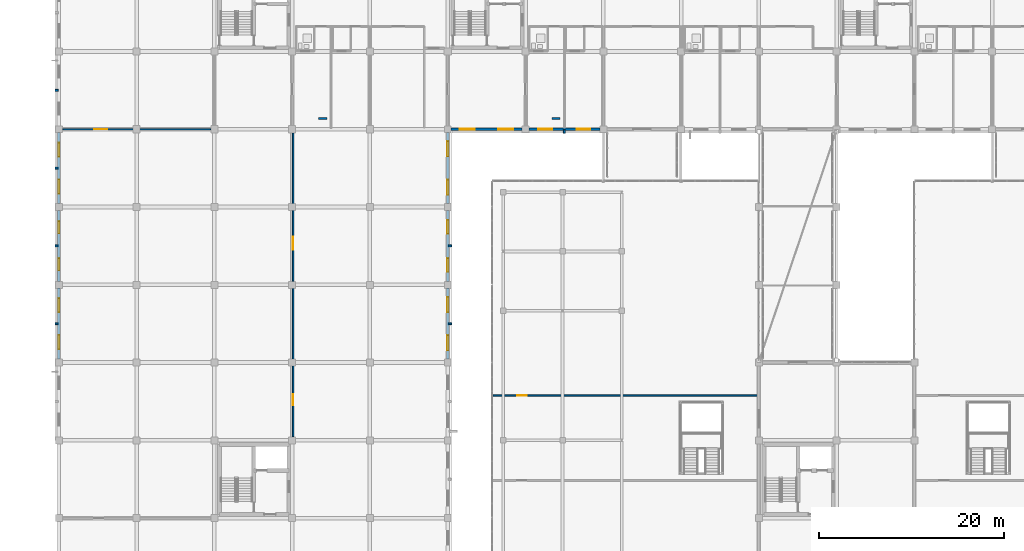
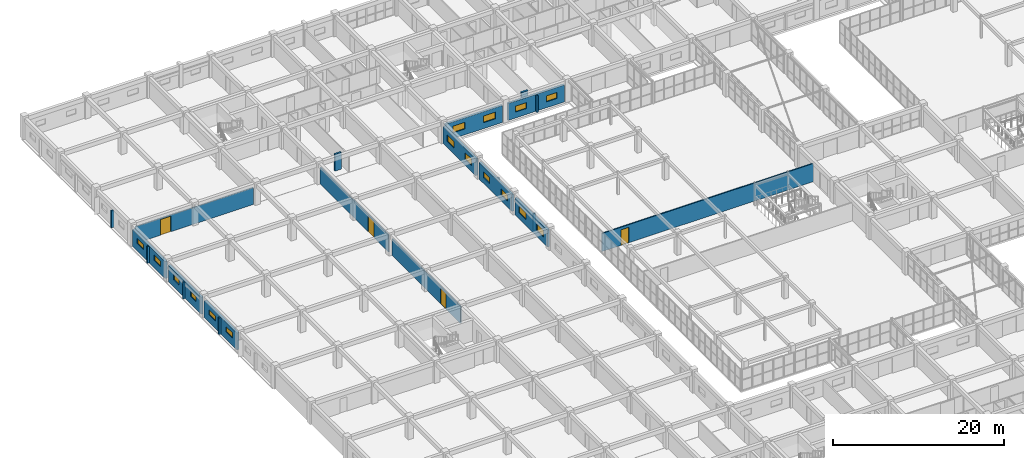
# One storey, part 172 of 200: 21 walls, 16 windows, 4 doors, 20 openings.
"""IFC4 building model written with IfcOpenShell, lengths in metres."""

from ifc_helpers import new_model, si_unit, direction, frame, frame_2d, origin, place, context, subcontext, project, spatial, rectangle, extrude, material, layer, layer_set, type_object, element, fill, save


model = new_model("IFC4")

# Units and contexts
model_context = context("Model", 3, precision=1e-05, world=origin(), true_north=direction((0.0, 1.0)))
body_context = subcontext(model_context, "Body", "Model", "MODEL_VIEW")
ifc_project = project(units=[si_unit("LENGTHUNIT", "METRE"), si_unit("AREAUNIT", "SQUARE_METRE"), si_unit("VOLUMEUNIT", "CUBIC_METRE"), si_unit("PLANEANGLEUNIT", "RADIAN"), si_unit("MASSUNIT", "GRAM", prefix="KILO")], contexts=[model_context])

# Site, building, storey
site_placement = place(None, origin())
site = spatial("IfcSite", under=ifc_project, at=site_placement, CompositionType="ELEMENT")
building_placement = place(site_placement, origin())
building = spatial("IfcBuilding", under=site, at=building_placement, Name="Trelvath General Hospital", CompositionType="ELEMENT")
storey_placement = place(building_placement, frame((0.0, 0.0, 4.800048828125)))
storey = spatial("IfcBuildingStorey", under=building, at=storey_placement, Name="L01", CompositionType="ELEMENT", Elevation=4.800048828125)

# Walls
ifc_material_1 = material(Name="Precast concrete C40/50", Category="concrete")
ifc_layer_1 = layer(ifc_material_1, 0.199951171875)
ifc_layer_set_1 = layer_set([ifc_layer_1], Name="Precast concrete C40/50")
wall_type_1 = type_object("IfcWallType", Name="BriseSoleilRib 200", PredefinedType="ELEMENTEDWALL", material=ifc_layer_set_1)
for number, where, z_axis, x_axis, name in (
    (1, (-0.074951171875, 71.39990234375, 0.0), (0.0, 0.0, 1.0), (-1.0, 0.0, 0.0), "Precast Concrete Brise-Soleil Rib Fin L01-78"),
    (2, (-0.074951171875, 79.800048828125, 0.0), (0.0, 0.0, 1.0), (-1.0, 0.0, 0.0), "Precast Concrete Brise-Soleil Rib Fin L01-79"),
    (3, (-0.074951171875, 88.199951171875, 0.0), (0.0, 0.0, 1.0), (-1.0, 0.0, 0.0), "Precast Concrete Brise-Soleil Rib Fin L01-80"),
    (4, (-0.074951171875, 96.60009765625, 0.0), (0.0, 0.0, 1.0), (-1.0, 0.0, 0.0), "Precast Concrete Brise-Soleil Rib Fin L01-81"),
    (5, (42.074951171875, 71.39990234375, 0.0), (0.0, 0.0, 1.0), (1.0, 0.0, 0.0), "Precast Concrete Brise-Soleil Rib Fin L01-96"),
    (6, (42.074951171875, 79.800048828125, 0.0), (0.0, 0.0, 1.0), (1.0, 0.0, 0.0), "Precast Concrete Brise-Soleil Rib Fin L01-97"),
):
    element("IfcWall", number, at=place(storey_placement, frame(where, z_axis=z_axis, x_axis=x_axis)), inside=storey, type_object=wall_type_1, Name=name, PredefinedType="ELEMENTEDWALL", context=body_context, shape_type="SweptSolid", body=[
        extrude(rectangle(XDim=0.340087890625, YDim=0.199951171875, at=frame_2d((0.169921875, 0.0))), origin(), (0.0, 0.0, 1.0), 2.39990234375),
    ])
wall_1_placement = place(storey_placement, frame((54.60009765625, 92.324951171875, 0.0), z_axis=(0.0, 0.0, 1.0), x_axis=(0.0, -1.0, 0.0)))
element("IfcWall", 7, at=wall_1_placement, inside=storey, type_object=wall_type_1, Name="Precast Concrete Brise-Soleil Rib Fin L01-101", PredefinedType="ELEMENTEDWALL", context=body_context, shape_type="SweptSolid", body=[
    extrude(rectangle(XDim=0.33984375, YDim=0.199951171875, at=frame_2d((0.169921875, 0.0))), origin(), (0.0, 0.0, 1.0), 2.39990234375),
])

# Wall, opening, door
ifc_material_2 = material(Name="Gypsum acoustic steel-stud partition", Category="steel")
ifc_layer_2 = layer(ifc_material_2, 0.14990234375)
ifc_layer_set_2 = layer_set([ifc_layer_2], Name="Gypsum acoustic steel-stud partition")
wall_type_2 = type_object("IfcWallType", Name="ClinicalPartition 150", PredefinedType="PARTITIONING", material=ifc_layer_set_2)
wall_2_placement = place(storey_placement, frame((25.300048828125, 59.199951171875, 0.0), z_axis=(0.0, 0.0, 1.0), x_axis=(0.0, 1.0, 0.0)))
wall_2 = element("IfcWall", 8, at=wall_2_placement, inside=storey, type_object=wall_type_2, Name="Pathology Lab Partition L01-665", PredefinedType="PARTITIONING", context=body_context, shape_type="SweptSolid", body=[
    extrude(rectangle(XDim=16.0, YDim=0.14990234375, at=frame_2d((8.0, 0.0))), origin(), (0.0, 0.0, 1.0), 2.39990234375),
])
opening_1_placement = place(wall_2_placement, frame((3.39990234375, 0.0, 0.0)))
opening_1 = element("IfcOpeningElement", 9, at=opening_1_placement, cuts=wall_2, Name="Opening D-1-0615", PredefinedType="OPENING", context=body_context, shape_type="SweptSolid", body=[
    extrude(rectangle(XDim=1.179931640625, YDim=2.199951171875, at=frame_2d((0.58984375, 1.10009765625))), frame((0.0, 0.0849609375, 0.0), z_axis=(0.0, -1.0, 0.0), x_axis=(1.0, 0.0, 0.0)), (0.0, 0.0, 1.0), 0.169921875),
])
ifc_material_3 = material(Name="Acoustic hospital timber leaf", Category="wood")
door_type_1 = type_object("IfcDoorType", Name="Door Pathology 1180x2200", OperationType="NOTDEFINED", PredefinedType="DOOR", material=ifc_material_3)
door_1_placement = place(opening_1_placement, origin())
door_1 = element("IfcDoor", 10, at=door_1_placement, inside=storey, type_object=door_type_1, Name="Pathology Lab Door L01-615", OperationType="SINGLE_SWING_LEFT", OverallHeight=2.199951171875, OverallWidth=1.179931640625, PredefinedType="DOOR", context=body_context, shape_type="SweptSolid", body=[
    extrude(rectangle(XDim=1.179931640625, YDim=2.199951171875, at=frame_2d((0.58984375, 1.10009765625))), frame((0.0, 0.02490234375, 0.0), z_axis=(0.0, -1.0, 0.0), x_axis=(1.0, 0.0, 0.0)), (0.0, 0.0, 1.0), 0.050048828125),
])
fill(opening_1, door_1)

wall_3_placement = place(storey_placement, frame((25.300048828125, 76.0, 0.0), z_axis=(0.0, 0.0, 1.0), x_axis=(0.0, 1.0, 0.0)))
wall_3 = element("IfcWall", 11, at=wall_3_placement, inside=storey, type_object=wall_type_2, Name="Biomed Workshop Partition L01-666", PredefinedType="PARTITIONING", context=body_context, shape_type="SweptSolid", body=[
    extrude(rectangle(XDim=16.0, YDim=0.14990234375, at=frame_2d((8.0, 0.0))), origin(), (0.0, 0.0, 1.0), 2.39990234375),
])
opening_2_placement = place(wall_3_placement, frame((3.39990234375, 0.0, 0.0)))
opening_2 = element("IfcOpeningElement", 12, at=opening_2_placement, cuts=wall_3, Name="Opening D-1-0616", PredefinedType="OPENING", context=body_context, shape_type="SweptSolid", body=[
    extrude(rectangle(XDim=1.39990234375, YDim=2.25, at=frame_2d((0.699951171875, 1.125))), frame((0.0, 0.0849609375, 0.0), z_axis=(0.0, -1.0, 0.0), x_axis=(1.0, 0.0, 0.0)), (0.0, 0.0, 1.0), 0.169921875),
])
ifc_material_4 = material(Name="Fire-rated steel plant pair", Category="steel")
door_type_2 = type_object("IfcDoorType", Name="Door Plant 1400x2250", OperationType="DOUBLE_SWING_LEFT", PredefinedType="DOOR", material=ifc_material_4)
door_2_placement = place(opening_2_placement, origin())
door_2 = element("IfcDoor", 13, at=door_2_placement, inside=storey, type_object=door_type_2, Name="Biomed Workshop Door L01-616", OperationType="DOUBLE_SWING_LEFT", OverallHeight=2.25, OverallWidth=1.39990234375, PredefinedType="DOOR", context=body_context, shape_type="SweptSolid", body=[
    extrude(rectangle(XDim=1.39990234375, YDim=2.25, at=frame_2d((0.699951171875, 1.125))), frame((0.0, 0.02490234375, 0.0), z_axis=(0.0, -1.0, 0.0), x_axis=(1.0, 0.0, 0.0)), (0.0, 0.0, 1.0), 0.050048828125),
])
fill(opening_2, door_2)

wall_4_placement = place(storey_placement, frame((0.419921875, 92.39990234375, 0.0), z_axis=(0.0, 0.0, 1.0), x_axis=(1.0, 0.0, 0.0)))
wall_4 = element("IfcWall", 14, at=wall_4_placement, inside=storey, type_object=wall_type_2, Name="Med Gas Plant Partition L01-667", PredefinedType="PARTITIONING", context=body_context, shape_type="SweptSolid", body=[
    extrude(rectangle(XDim=15.9599609375, YDim=0.14990234375, at=frame_2d((7.97998046875, 0.0))), origin(), (0.0, 0.0, 1.0), 2.39990234375),
])
opening_3_placement = place(wall_4_placement, frame((3.39990234375, 0.0, 0.0)))
opening_3 = element("IfcOpeningElement", 15, at=opening_3_placement, cuts=wall_4, Name="Opening D-1-0617", PredefinedType="OPENING", context=body_context, shape_type="SweptSolid", body=[
    extrude(rectangle(XDim=1.39990234375, YDim=2.25, at=frame_2d((0.699951171875, 1.125))), frame((0.0, 0.0849609375, 0.0), z_axis=(0.0, -1.0, 0.0), x_axis=(1.0, 0.0, 0.0)), (0.0, 0.0, 1.0), 0.169921875),
])
door_3_placement = place(opening_3_placement, origin())
door_3 = element("IfcDoor", 16, at=door_3_placement, inside=storey, type_object=door_type_2, Name="Med Gas Plant Door L01-617", OperationType="DOUBLE_SWING_LEFT", OverallHeight=2.25, OverallWidth=1.39990234375, PredefinedType="DOOR", context=body_context, shape_type="SweptSolid", body=[
    extrude(rectangle(XDim=1.39990234375, YDim=2.25, at=frame_2d((0.699951171875, 1.125))), frame((0.0, 0.02490234375, 0.0), z_axis=(0.0, -1.0, 0.0), x_axis=(1.0, 0.0, 0.0)), (0.0, 0.0, 1.0), 0.050048828125),
])
fill(opening_3, door_3)

wall_5_placement = place(storey_placement, frame((46.89990234375, 63.64990234375, 0.0), z_axis=(0.0, 0.0, 1.0), x_axis=(1.0, 0.0, 0.0)))
wall_5 = element("IfcWall", 17, at=wall_5_placement, inside=storey, type_object=wall_type_2, Name="Cube Clinic CUBE-W Partition L01-673", PredefinedType="PARTITIONING", context=body_context, shape_type="SweptSolid", body=[
    extrude(rectangle(XDim=28.60009765625, YDim=0.14990234375, at=frame_2d((14.300048828125, 0.0))), origin(), (0.0, 0.0, 1.0), 2.58984375),
])
opening_4_placement = place(wall_5_placement, frame((2.60009765625, 0.0, 0.0)))
opening_4 = element("IfcOpeningElement", 18, at=opening_4_placement, cuts=wall_5, Name="Opening DC-1-0623", PredefinedType="OPENING", context=body_context, shape_type="SweptSolid", body=[
    extrude(rectangle(XDim=1.050048828125, YDim=2.199951171875, at=frame_2d((0.52490234375, 1.10009765625))), frame((0.0, 0.0849609375, 0.0), z_axis=(0.0, -1.0, 0.0), x_axis=(1.0, 0.0, 0.0)), (0.0, 0.0, 1.0), 0.169921875),
])
ifc_material_5 = material(Name="Acoustic hospital timber leaf", Category="wood")
door_type_3 = type_object("IfcDoorType", Name="Door Consult 1050x2200", OperationType="NOTDEFINED", PredefinedType="DOOR", material=ifc_material_5)
door_4_placement = place(opening_4_placement, origin())
door_4 = element("IfcDoor", 19, at=door_4_placement, inside=storey, type_object=door_type_3, Name="Cube Clinic CUBE-W Door L01-623", OperationType="SINGLE_SWING_LEFT", OverallHeight=2.199951171875, OverallWidth=1.050048828125, PredefinedType="DOOR", context=body_context, shape_type="SweptSolid", body=[
    extrude(rectangle(XDim=1.050048828125, YDim=2.199951171875, at=frame_2d((0.52490234375, 1.10009765625))), frame((0.0, 0.02490234375, 0.0), z_axis=(0.0, -1.0, 0.0), x_axis=(1.0, 0.0, 0.0)), (0.0, 0.0, 1.0), 0.050048828125),
])
fill(opening_4, door_4)

# Wall, openings, windows
ifc_material_6 = material(Name="Concrete C35/45", Category="concrete")
ifc_layer_3 = layer(ifc_material_6, 0.2900390625)
ifc_layer_set_3 = layer_set([ifc_layer_3], Name="Concrete C35/45")
wall_type_3 = type_object("IfcWallType", Name="ExtBushHammeredWall 290", PredefinedType="SOLIDWALL", material=ifc_layer_set_3)
wall_6_placement = place(storey_placement, frame((0.0, 67.570068359375, 0.0), z_axis=(0.0, 0.0, 1.0), x_axis=(0.0, 1.0, 0.0)))
wall_6 = element("IfcWall", 20, at=wall_6_placement, inside=storey, type_object=wall_type_3, Name="Exterior Concrete Wall L01-117", PredefinedType="SOLIDWALL", context=body_context, shape_type="SweptSolid", body=[
    extrude(rectangle(XDim=7.659912109375, YDim=0.2900390625, at=frame_2d((3.830078125, 0.0))), origin(), (0.0, 0.0, 1.0), 2.419921875),
])
opening_5_placement = place(wall_6_placement, frame((1.08837890625, 0.0, 1.050048828125)))
opening_5 = element("IfcOpeningElement", 21, at=opening_5_placement, cuts=wall_6, Name="Opening WN-1-163", PredefinedType="OPENING", context=body_context, shape_type="SweptSolid", body=[
    extrude(rectangle(XDim=1.5, YDim=0.75, at=frame_2d((0.75, 0.375))), frame((0.0, 0.155029296875, 0.0), z_axis=(0.0, -1.0, 0.0), x_axis=(1.0, 0.0, 0.0)), (0.0, 0.0, 1.0), 0.31005859375),
])
opening_6_placement = place(wall_6_placement, frame((5.071533203125, 0.0, 1.050048828125)))
opening_6 = element("IfcOpeningElement", 22, at=opening_6_placement, cuts=wall_6, Name="Opening WN-1-164", PredefinedType="OPENING", context=body_context, shape_type="SweptSolid", body=[
    extrude(rectangle(XDim=1.5, YDim=0.75, at=frame_2d((0.75, 0.375))), frame((0.0, 0.155029296875, 0.0), z_axis=(0.0, -1.0, 0.0), x_axis=(1.0, 0.0, 0.0)), (0.0, 0.0, 1.0), 0.31005859375),
])
ifc_material_7 = material(Name="Low-E laminated glass", Category="glass")
window_type_1 = type_object("IfcWindowType", Name="Window InterstitialVent 1500x750", PartitioningType="DOUBLE_PANEL_HORIZONTAL", PredefinedType="WINDOW", material=ifc_material_7)
window_1_placement = place(opening_5_placement, origin())
window_1 = element("IfcWindow", 23, at=window_1_placement, inside=storey, type_object=window_type_1, Name="Solar Reveal Window L01-163", OverallHeight=0.75, OverallWidth=1.5, PartitioningType="SINGLE_PANEL", PredefinedType="WINDOW", context=body_context, shape_type="SweptSolid", body=[
    extrude(rectangle(XDim=1.5, YDim=0.75, at=frame_2d((0.75, 0.375))), frame((0.0, 0.030029296875, 0.0), z_axis=(0.0, -1.0, 0.0), x_axis=(1.0, 0.0, 0.0)), (0.0, 0.0, 1.0), 0.06005859375),
])
fill(opening_5, window_1)
window_2_placement = place(opening_6_placement, origin())
window_2 = element("IfcWindow", 24, at=window_2_placement, inside=storey, type_object=window_type_1, Name="Solar Reveal Window L01-164", OverallHeight=0.75, OverallWidth=1.5, PartitioningType="SINGLE_PANEL", PredefinedType="WINDOW", context=body_context, shape_type="SweptSolid", body=[
    extrude(rectangle(XDim=1.5, YDim=0.75, at=frame_2d((0.75, 0.375))), frame((0.0, 0.030029296875, 0.0), z_axis=(0.0, -1.0, 0.0), x_axis=(1.0, 0.0, 0.0)), (0.0, 0.0, 1.0), 0.06005859375),
])
fill(opening_6, window_2)

wall_7_placement = place(storey_placement, frame((0.0, 75.969970703125, 0.0), z_axis=(0.0, 0.0, 1.0), x_axis=(0.0, 1.0, 0.0)))
wall_7 = element("IfcWall", 25, at=wall_7_placement, inside=storey, type_object=wall_type_3, Name="Exterior Concrete Wall L01-118", PredefinedType="SOLIDWALL", context=body_context, shape_type="SweptSolid", body=[
    extrude(rectangle(XDim=7.659912109375, YDim=0.2900390625, at=frame_2d((3.830078125, 0.0))), origin(), (0.0, 0.0, 1.0), 2.419921875),
])
opening_7_placement = place(wall_7_placement, frame((1.1884765625, 0.0, 1.050048828125)))
opening_7 = element("IfcOpeningElement", 26, at=opening_7_placement, cuts=wall_7, Name="Opening WN-1-165", PredefinedType="OPENING", context=body_context, shape_type="SweptSolid", body=[
    extrude(rectangle(XDim=1.300048828125, YDim=0.75, at=frame_2d((0.64990234375, 0.375))), frame((0.0, 0.155029296875, 0.0), z_axis=(0.0, -1.0, 0.0), x_axis=(1.0, 0.0, 0.0)), (0.0, 0.0, 1.0), 0.31005859375),
])
opening_8_placement = place(wall_7_placement, frame((5.171630859375, 0.0, 1.050048828125)))
opening_8 = element("IfcOpeningElement", 27, at=opening_8_placement, cuts=wall_7, Name="Opening WN-1-166", PredefinedType="OPENING", context=body_context, shape_type="SweptSolid", body=[
    extrude(rectangle(XDim=1.300048828125, YDim=0.75, at=frame_2d((0.64990234375, 0.375))), frame((0.0, 0.155029296875, 0.0), z_axis=(0.0, -1.0, 0.0), x_axis=(1.0, 0.0, 0.0)), (0.0, 0.0, 1.0), 0.31005859375),
])
ifc_material_8 = material(Name="Low-E laminated glass", Category="glass")
window_type_2 = type_object("IfcWindowType", Name="Window InterstitialVent 1300x750", PartitioningType="DOUBLE_PANEL_HORIZONTAL", PredefinedType="WINDOW", material=ifc_material_8)
window_3_placement = place(opening_7_placement, origin())
window_3 = element("IfcWindow", 28, at=window_3_placement, inside=storey, type_object=window_type_2, Name="Solar Reveal Window L01-165", OverallHeight=0.75, OverallWidth=1.300048828125, PartitioningType="SINGLE_PANEL", PredefinedType="WINDOW", context=body_context, shape_type="SweptSolid", body=[
    extrude(rectangle(XDim=1.300048828125, YDim=0.75, at=frame_2d((0.64990234375, 0.375))), frame((0.0, 0.030029296875, 0.0), z_axis=(0.0, -1.0, 0.0), x_axis=(1.0, 0.0, 0.0)), (0.0, 0.0, 1.0), 0.06005859375),
])
fill(opening_7, window_3)
window_4_placement = place(opening_8_placement, origin())
window_4 = element("IfcWindow", 29, at=window_4_placement, inside=storey, type_object=window_type_2, Name="Solar Reveal Window L01-166", OverallHeight=0.75, OverallWidth=1.300048828125, PartitioningType="SINGLE_PANEL", PredefinedType="WINDOW", context=body_context, shape_type="SweptSolid", body=[
    extrude(rectangle(XDim=1.300048828125, YDim=0.75, at=frame_2d((0.64990234375, 0.375))), frame((0.0, 0.030029296875, 0.0), z_axis=(0.0, -1.0, 0.0), x_axis=(1.0, 0.0, 0.0)), (0.0, 0.0, 1.0), 0.06005859375),
])
fill(opening_8, window_4)

wall_8_placement = place(storey_placement, frame((0.0, 84.3701171875, 0.0), z_axis=(0.0, 0.0, 1.0), x_axis=(0.0, 1.0, 0.0)))
wall_8 = element("IfcWall", 30, at=wall_8_placement, inside=storey, type_object=wall_type_3, Name="Exterior Concrete Wall L01-119", PredefinedType="SOLIDWALL", context=body_context, shape_type="SweptSolid", body=[
    extrude(rectangle(XDim=7.659912109375, YDim=0.2900390625, at=frame_2d((3.830078125, 0.0))), origin(), (0.0, 0.0, 1.0), 2.419921875),
])
opening_9_placement = place(wall_8_placement, frame((1.08837890625, 0.0, 1.050048828125)))
opening_9 = element("IfcOpeningElement", 31, at=opening_9_placement, cuts=wall_8, Name="Opening WN-1-167", PredefinedType="OPENING", context=body_context, shape_type="SweptSolid", body=[
    extrude(rectangle(XDim=1.5, YDim=0.75, at=frame_2d((0.75, 0.375))), frame((0.0, 0.155029296875, 0.0), z_axis=(0.0, -1.0, 0.0), x_axis=(1.0, 0.0, 0.0)), (0.0, 0.0, 1.0), 0.31005859375),
])
opening_10_placement = place(wall_8_placement, frame((5.071533203125, 0.0, 1.050048828125)))
opening_10 = element("IfcOpeningElement", 32, at=opening_10_placement, cuts=wall_8, Name="Opening WN-1-168", PredefinedType="OPENING", context=body_context, shape_type="SweptSolid", body=[
    extrude(rectangle(XDim=1.5, YDim=0.75, at=frame_2d((0.75, 0.375))), frame((0.0, 0.155029296875, 0.0), z_axis=(0.0, -1.0, 0.0), x_axis=(1.0, 0.0, 0.0)), (0.0, 0.0, 1.0), 0.31005859375),
])
window_5_placement = place(opening_9_placement, origin())
window_5 = element("IfcWindow", 33, at=window_5_placement, inside=storey, type_object=window_type_1, Name="Solar Reveal Window L01-167", OverallHeight=0.75, OverallWidth=1.5, PartitioningType="SINGLE_PANEL", PredefinedType="WINDOW", context=body_context, shape_type="SweptSolid", body=[
    extrude(rectangle(XDim=1.5, YDim=0.75, at=frame_2d((0.75, 0.375))), frame((0.0, 0.030029296875, 0.0), z_axis=(0.0, -1.0, 0.0), x_axis=(1.0, 0.0, 0.0)), (0.0, 0.0, 1.0), 0.06005859375),
])
fill(opening_9, window_5)
window_6_placement = place(opening_10_placement, origin())
window_6 = element("IfcWindow", 34, at=window_6_placement, inside=storey, type_object=window_type_1, Name="Solar Reveal Window L01-168", OverallHeight=0.75, OverallWidth=1.5, PartitioningType="SINGLE_PANEL", PredefinedType="WINDOW", context=body_context, shape_type="SweptSolid", body=[
    extrude(rectangle(XDim=1.5, YDim=0.75, at=frame_2d((0.75, 0.375))), frame((0.0, 0.030029296875, 0.0), z_axis=(0.0, -1.0, 0.0), x_axis=(1.0, 0.0, 0.0)), (0.0, 0.0, 1.0), 0.06005859375),
])
fill(opening_10, window_6)

wall_9_placement = place(storey_placement, frame((42.0, 75.22998046875, 0.0), z_axis=(0.0, 0.0, 1.0), x_axis=(0.0, -1.0, 0.0)))
wall_9 = element("IfcWall", 35, at=wall_9_placement, inside=storey, type_object=wall_type_3, Name="Exterior Concrete Wall L01-136", PredefinedType="SOLIDWALL", context=body_context, shape_type="SweptSolid", body=[
    extrude(rectangle(XDim=7.659912109375, YDim=0.2900390625, at=frame_2d((3.830078125, 0.0))), origin(), (0.0, 0.0, 1.0), 2.419921875),
])
opening_11_placement = place(wall_9_placement, frame((0.951904296875, 0.0, 0.85009765625)))
opening_11 = element("IfcOpeningElement", 36, at=opening_11_placement, cuts=wall_9, Name="Opening WN-1-201", PredefinedType="OPENING", context=body_context, shape_type="SweptSolid", body=[
    extrude(rectangle(XDim=1.6201171875, YDim=0.949951171875, at=frame_2d((0.81005859375, 0.47509765625))), frame((0.0, 0.155029296875, 0.0), z_axis=(0.0, -1.0, 0.0), x_axis=(1.0, 0.0, 0.0)), (0.0, 0.0, 1.0), 0.31005859375),
])
opening_12_placement = place(wall_9_placement, frame((5.088134765625, 0.0, 0.85009765625)))
opening_12 = element("IfcOpeningElement", 37, at=opening_12_placement, cuts=wall_9, Name="Opening WN-1-202", PredefinedType="OPENING", context=body_context, shape_type="SweptSolid", body=[
    extrude(rectangle(XDim=1.6201171875, YDim=0.949951171875, at=frame_2d((0.81005859375, 0.47509765625))), frame((0.0, 0.155029296875, 0.0), z_axis=(0.0, -1.0, 0.0), x_axis=(1.0, 0.0, 0.0)), (0.0, 0.0, 1.0), 0.31005859375),
])
ifc_material_9 = material(Name="Low-E laminated glass", Category="glass")
window_type_3 = type_object("IfcWindowType", Name="Window EmergencyClere 1620x950", PartitioningType="DOUBLE_PANEL_VERTICAL", PredefinedType="WINDOW", material=ifc_material_9)
window_7_placement = place(opening_11_placement, origin())
window_7 = element("IfcWindow", 38, at=window_7_placement, inside=storey, type_object=window_type_3, Name="Solar Reveal Window L01-201", OverallHeight=0.949951171875, OverallWidth=1.6201171875, PartitioningType="SINGLE_PANEL", PredefinedType="WINDOW", context=body_context, shape_type="SweptSolid", body=[
    extrude(rectangle(XDim=1.6201171875, YDim=0.949951171875, at=frame_2d((0.81005859375, 0.47509765625))), frame((0.0, 0.030029296875, 0.0), z_axis=(0.0, -1.0, 0.0), x_axis=(1.0, 0.0, 0.0)), (0.0, 0.0, 1.0), 0.06005859375),
])
fill(opening_11, window_7)
window_8_placement = place(opening_12_placement, origin())
window_8 = element("IfcWindow", 39, at=window_8_placement, inside=storey, type_object=window_type_3, Name="Solar Reveal Window L01-202", OverallHeight=0.949951171875, OverallWidth=1.6201171875, PartitioningType="SINGLE_PANEL", PredefinedType="WINDOW", context=body_context, shape_type="SweptSolid", body=[
    extrude(rectangle(XDim=1.6201171875, YDim=0.949951171875, at=frame_2d((0.81005859375, 0.47509765625))), frame((0.0, 0.030029296875, 0.0), z_axis=(0.0, -1.0, 0.0), x_axis=(1.0, 0.0, 0.0)), (0.0, 0.0, 1.0), 0.06005859375),
])
fill(opening_12, window_8)

wall_10_placement = place(storey_placement, frame((42.0, 83.6298828125, 0.0), z_axis=(0.0, 0.0, 1.0), x_axis=(0.0, -1.0, 0.0)))
wall_10 = element("IfcWall", 40, at=wall_10_placement, inside=storey, type_object=wall_type_3, Name="Exterior Concrete Wall L01-137", PredefinedType="SOLIDWALL", context=body_context, shape_type="SweptSolid", body=[
    extrude(rectangle(XDim=7.659912109375, YDim=0.2900390625, at=frame_2d((3.830078125, 0.0))), origin(), (0.0, 0.0, 1.0), 2.419921875),
])
opening_13_placement = place(wall_10_placement, frame((1.03173828125, 0.0, 0.85009765625)))
opening_13 = element("IfcOpeningElement", 41, at=opening_13_placement, cuts=wall_10, Name="Opening WN-1-203", PredefinedType="OPENING", context=body_context, shape_type="SweptSolid", body=[
    extrude(rectangle(XDim=1.4599609375, YDim=0.85009765625, at=frame_2d((0.72998046875, 0.425048828125))), frame((0.0, 0.155029296875, 0.0), z_axis=(0.0, -1.0, 0.0), x_axis=(1.0, 0.0, 0.0)), (0.0, 0.0, 1.0), 0.31005859375),
])
opening_14_placement = place(wall_10_placement, frame((5.168212890625, 0.0, 0.85009765625)))
opening_14 = element("IfcOpeningElement", 42, at=opening_14_placement, cuts=wall_10, Name="Opening WN-1-204", PredefinedType="OPENING", context=body_context, shape_type="SweptSolid", body=[
    extrude(rectangle(XDim=1.4599609375, YDim=0.85009765625, at=frame_2d((0.72998046875, 0.425048828125))), frame((0.0, 0.155029296875, 0.0), z_axis=(0.0, -1.0, 0.0), x_axis=(1.0, 0.0, 0.0)), (0.0, 0.0, 1.0), 0.31005859375),
])
ifc_material_10 = material(Name="Low-E laminated glass", Category="glass")
window_type_4 = type_object("IfcWindowType", Name="Window ImagingClere 1460x850", PartitioningType="DOUBLE_PANEL_VERTICAL", PredefinedType="WINDOW", material=ifc_material_10)
window_9_placement = place(opening_13_placement, origin())
window_9 = element("IfcWindow", 43, at=window_9_placement, inside=storey, type_object=window_type_4, Name="Solar Reveal Window L01-203", OverallHeight=0.85009765625, OverallWidth=1.4599609375, PartitioningType="SINGLE_PANEL", PredefinedType="WINDOW", context=body_context, shape_type="SweptSolid", body=[
    extrude(rectangle(XDim=1.4599609375, YDim=0.85009765625, at=frame_2d((0.72998046875, 0.425048828125))), frame((0.0, 0.030029296875, 0.0), z_axis=(0.0, -1.0, 0.0), x_axis=(1.0, 0.0, 0.0)), (0.0, 0.0, 1.0), 0.06005859375),
])
fill(opening_13, window_9)
window_10_placement = place(opening_14_placement, origin())
window_10 = element("IfcWindow", 44, at=window_10_placement, inside=storey, type_object=window_type_4, Name="Solar Reveal Window L01-204", OverallHeight=0.85009765625, OverallWidth=1.4599609375, PartitioningType="SINGLE_PANEL", PredefinedType="WINDOW", context=body_context, shape_type="SweptSolid", body=[
    extrude(rectangle(XDim=1.4599609375, YDim=0.85009765625, at=frame_2d((0.72998046875, 0.425048828125))), frame((0.0, 0.030029296875, 0.0), z_axis=(0.0, -1.0, 0.0), x_axis=(1.0, 0.0, 0.0)), (0.0, 0.0, 1.0), 0.06005859375),
])
fill(opening_14, window_10)

wall_11_placement = place(storey_placement, frame((42.0, 92.030029296875, 0.0), z_axis=(0.0, 0.0, 1.0), x_axis=(0.0, -1.0, 0.0)))
wall_11 = element("IfcWall", 45, at=wall_11_placement, inside=storey, type_object=wall_type_3, Name="Exterior Concrete Wall L01-138", PredefinedType="SOLIDWALL", context=body_context, shape_type="SweptSolid", body=[
    extrude(rectangle(XDim=7.659912109375, YDim=0.2900390625, at=frame_2d((3.830078125, 0.0))), origin(), (0.0, 0.0, 1.0), 2.419921875),
])
opening_15_placement = place(wall_11_placement, frame((0.951904296875, 0.0, 0.85009765625)))
opening_15 = element("IfcOpeningElement", 46, at=opening_15_placement, cuts=wall_11, Name="Opening WN-1-205", PredefinedType="OPENING", context=body_context, shape_type="SweptSolid", body=[
    extrude(rectangle(XDim=1.6201171875, YDim=0.949951171875, at=frame_2d((0.81005859375, 0.47509765625))), frame((0.0, 0.155029296875, 0.0), z_axis=(0.0, -1.0, 0.0), x_axis=(1.0, 0.0, 0.0)), (0.0, 0.0, 1.0), 0.31005859375),
])
opening_16_placement = place(wall_11_placement, frame((5.088134765625, 0.0, 0.85009765625)))
opening_16 = element("IfcOpeningElement", 47, at=opening_16_placement, cuts=wall_11, Name="Opening WN-1-206", PredefinedType="OPENING", context=body_context, shape_type="SweptSolid", body=[
    extrude(rectangle(XDim=1.6201171875, YDim=0.949951171875, at=frame_2d((0.81005859375, 0.47509765625))), frame((0.0, 0.155029296875, 0.0), z_axis=(0.0, -1.0, 0.0), x_axis=(1.0, 0.0, 0.0)), (0.0, 0.0, 1.0), 0.31005859375),
])
window_11_placement = place(opening_15_placement, origin())
window_11 = element("IfcWindow", 48, at=window_11_placement, inside=storey, type_object=window_type_3, Name="Solar Reveal Window L01-205", OverallHeight=0.949951171875, OverallWidth=1.6201171875, PartitioningType="SINGLE_PANEL", PredefinedType="WINDOW", context=body_context, shape_type="SweptSolid", body=[
    extrude(rectangle(XDim=1.6201171875, YDim=0.949951171875, at=frame_2d((0.81005859375, 0.47509765625))), frame((0.0, 0.030029296875, 0.0), z_axis=(0.0, -1.0, 0.0), x_axis=(1.0, 0.0, 0.0)), (0.0, 0.0, 1.0), 0.06005859375),
])
fill(opening_15, window_11)
window_12_placement = place(opening_16_placement, origin())
window_12 = element("IfcWindow", 49, at=window_12_placement, inside=storey, type_object=window_type_3, Name="Solar Reveal Window L01-206", OverallHeight=0.949951171875, OverallWidth=1.6201171875, PartitioningType="SINGLE_PANEL", PredefinedType="WINDOW", context=body_context, shape_type="SweptSolid", body=[
    extrude(rectangle(XDim=1.6201171875, YDim=0.949951171875, at=frame_2d((0.81005859375, 0.47509765625))), frame((0.0, 0.030029296875, 0.0), z_axis=(0.0, -1.0, 0.0), x_axis=(1.0, 0.0, 0.0)), (0.0, 0.0, 1.0), 0.06005859375),
])
fill(opening_16, window_12)

wall_12_placement = place(storey_placement, frame((50.030029296875, 92.39990234375, 0.0), z_axis=(0.0, 0.0, 1.0), x_axis=(-1.0, 0.0, 0.0)))
wall_12 = element("IfcWall", 50, at=wall_12_placement, inside=storey, type_object=wall_type_3, Name="Exterior Concrete Wall L01-141", PredefinedType="SOLIDWALL", context=body_context, shape_type="SweptSolid", body=[
    extrude(rectangle(XDim=7.659912109375, YDim=0.2900390625, at=frame_2d((3.830078125, 0.0))), origin(), (0.0, 0.0, 1.0), 2.419921875),
])
opening_17_placement = place(wall_12_placement, frame((0.951904296875, 0.0, 0.85009765625)))
opening_17 = element("IfcOpeningElement", 51, at=opening_17_placement, cuts=wall_12, Name="Opening WN-1-211", PredefinedType="OPENING", context=body_context, shape_type="SweptSolid", body=[
    extrude(rectangle(XDim=1.6201171875, YDim=0.949951171875, at=frame_2d((0.81005859375, 0.47509765625))), frame((0.0, 0.155029296875, 0.0), z_axis=(0.0, -1.0, 0.0), x_axis=(1.0, 0.0, 0.0)), (0.0, 0.0, 1.0), 0.31005859375),
])
opening_18_placement = place(wall_12_placement, frame((5.088134765625, 0.0, 0.85009765625)))
opening_18 = element("IfcOpeningElement", 52, at=opening_18_placement, cuts=wall_12, Name="Opening WN-1-212", PredefinedType="OPENING", context=body_context, shape_type="SweptSolid", body=[
    extrude(rectangle(XDim=1.6201171875, YDim=0.949951171875, at=frame_2d((0.81005859375, 0.47509765625))), frame((0.0, 0.155029296875, 0.0), z_axis=(0.0, -1.0, 0.0), x_axis=(1.0, 0.0, 0.0)), (0.0, 0.0, 1.0), 0.31005859375),
])
window_13_placement = place(opening_17_placement, origin())
window_13 = element("IfcWindow", 53, at=window_13_placement, inside=storey, type_object=window_type_3, Name="Solar Reveal Window L01-211", OverallHeight=0.949951171875, OverallWidth=1.6201171875, PartitioningType="SINGLE_PANEL", PredefinedType="WINDOW", context=body_context, shape_type="SweptSolid", body=[
    extrude(rectangle(XDim=1.6201171875, YDim=0.949951171875, at=frame_2d((0.81005859375, 0.47509765625))), frame((0.0, 0.030029296875, 0.0), z_axis=(0.0, -1.0, 0.0), x_axis=(1.0, 0.0, 0.0)), (0.0, 0.0, 1.0), 0.06005859375),
])
fill(opening_17, window_13)
window_14_placement = place(opening_18_placement, origin())
window_14 = element("IfcWindow", 54, at=window_14_placement, inside=storey, type_object=window_type_3, Name="Solar Reveal Window L01-212", OverallHeight=0.949951171875, OverallWidth=1.6201171875, PartitioningType="SINGLE_PANEL", PredefinedType="WINDOW", context=body_context, shape_type="SweptSolid", body=[
    extrude(rectangle(XDim=1.6201171875, YDim=0.949951171875, at=frame_2d((0.81005859375, 0.47509765625))), frame((0.0, 0.030029296875, 0.0), z_axis=(0.0, -1.0, 0.0), x_axis=(1.0, 0.0, 0.0)), (0.0, 0.0, 1.0), 0.06005859375),
])
fill(opening_18, window_14)

wall_13_placement = place(storey_placement, frame((58.429931640625, 92.39990234375, 0.0), z_axis=(0.0, 0.0, 1.0), x_axis=(-1.0, 0.0, 0.0)))
wall_13 = element("IfcWall", 55, at=wall_13_placement, inside=storey, type_object=wall_type_3, Name="Exterior Concrete Wall L01-144", PredefinedType="SOLIDWALL", context=body_context, shape_type="SweptSolid", body=[
    extrude(rectangle(XDim=7.659912109375, YDim=0.2900390625, at=frame_2d((3.830078125, 0.0))), origin(), (0.0, 0.0, 1.0), 2.419921875),
])
opening_19_placement = place(wall_13_placement, frame((1.03173828125, 0.0, 0.85009765625)))
opening_19 = element("IfcOpeningElement", 56, at=opening_19_placement, cuts=wall_13, Name="Opening WN-1-217", PredefinedType="OPENING", context=body_context, shape_type="SweptSolid", body=[
    extrude(rectangle(XDim=1.4599609375, YDim=0.85009765625, at=frame_2d((0.72998046875, 0.425048828125))), frame((0.0, 0.155029296875, 0.0), z_axis=(0.0, -1.0, 0.0), x_axis=(1.0, 0.0, 0.0)), (0.0, 0.0, 1.0), 0.31005859375),
])
opening_20_placement = place(wall_13_placement, frame((5.168212890625, 0.0, 0.85009765625)))
opening_20 = element("IfcOpeningElement", 57, at=opening_20_placement, cuts=wall_13, Name="Opening WN-1-218", PredefinedType="OPENING", context=body_context, shape_type="SweptSolid", body=[
    extrude(rectangle(XDim=1.4599609375, YDim=0.85009765625, at=frame_2d((0.72998046875, 0.425048828125))), frame((0.0, 0.155029296875, 0.0), z_axis=(0.0, -1.0, 0.0), x_axis=(1.0, 0.0, 0.0)), (0.0, 0.0, 1.0), 0.31005859375),
])
window_15_placement = place(opening_19_placement, origin())
window_15 = element("IfcWindow", 58, at=window_15_placement, inside=storey, type_object=window_type_4, Name="Solar Reveal Window L01-217", OverallHeight=0.85009765625, OverallWidth=1.4599609375, PartitioningType="SINGLE_PANEL", PredefinedType="WINDOW", context=body_context, shape_type="SweptSolid", body=[
    extrude(rectangle(XDim=1.4599609375, YDim=0.85009765625, at=frame_2d((0.72998046875, 0.425048828125))), frame((0.0, 0.030029296875, 0.0), z_axis=(0.0, -1.0, 0.0), x_axis=(1.0, 0.0, 0.0)), (0.0, 0.0, 1.0), 0.06005859375),
])
fill(opening_19, window_15)
window_16_placement = place(opening_20_placement, origin())
window_16 = element("IfcWindow", 59, at=window_16_placement, inside=storey, type_object=window_type_4, Name="Solar Reveal Window L01-218", OverallHeight=0.85009765625, OverallWidth=1.4599609375, PartitioningType="SINGLE_PANEL", PredefinedType="WINDOW", context=body_context, shape_type="SweptSolid", body=[
    extrude(rectangle(XDim=1.4599609375, YDim=0.85009765625, at=frame_2d((0.72998046875, 0.425048828125))), frame((0.0, 0.030029296875, 0.0), z_axis=(0.0, -1.0, 0.0), x_axis=(1.0, 0.0, 0.0)), (0.0, 0.0, 1.0), 0.06005859375),
])
fill(opening_20, window_16)

# Walls
ifc_material_11 = material(Name="Masonry service chase blockwork", Category="masonry")
ifc_layer_4 = layer(ifc_material_11, 0.239990234375)
ifc_layer_set_4 = layer_set([ifc_layer_4], Name="Masonry service chase blockwork")
wall_type_4 = type_object("IfcWallType", Name="PlumbingChaseWall 240", PredefinedType="PLUMBINGWALL", material=ifc_layer_set_4)
for number, where, z_axis, x_axis, name in (
    (60, (28.050048828125, 93.550048828125, 0.0), (0.0, 0.0, 1.0), (1.0, 0.0, 0.0), "Medical Gas Plumbing Chase L01-520"),
    (61, (53.25, 93.550048828125, 0.0), (0.0, 0.0, 1.0), (1.0, 0.0, 0.0), "Medical Gas Plumbing Chase L01-547"),
):
    element("IfcWall", number, at=place(storey_placement, frame(where, z_axis=z_axis, x_axis=x_axis)), inside=storey, type_object=wall_type_4, Name=name, PredefinedType="PLUMBINGWALL", context=body_context, shape_type="SweptSolid", body=[
        extrude(rectangle(XDim=0.89990234375, YDim=0.239990234375, at=frame_2d((0.449951171875, 0.0))), origin(), (0.0, 0.0, 1.0), 2.39990234375),
    ])

save(model, "model.ifc")
